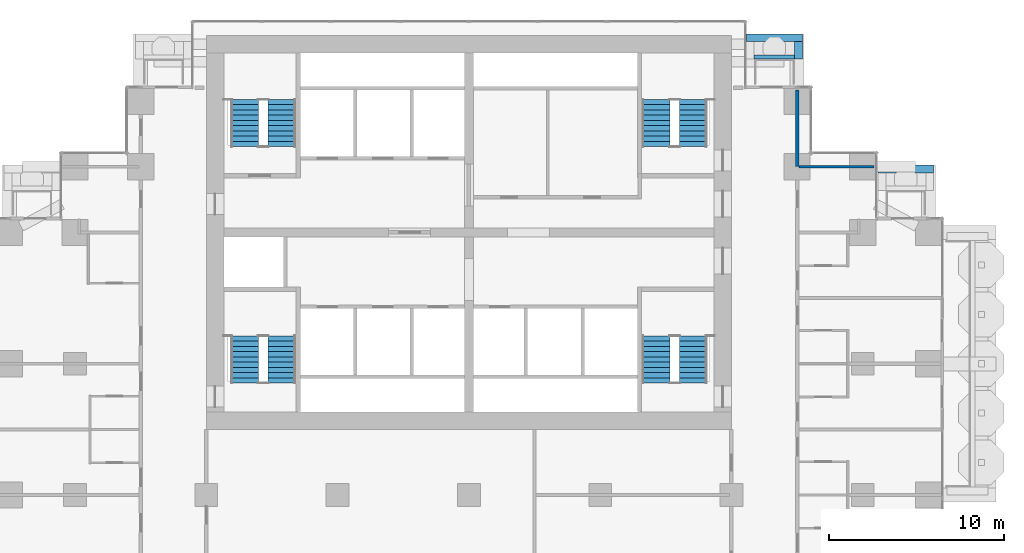
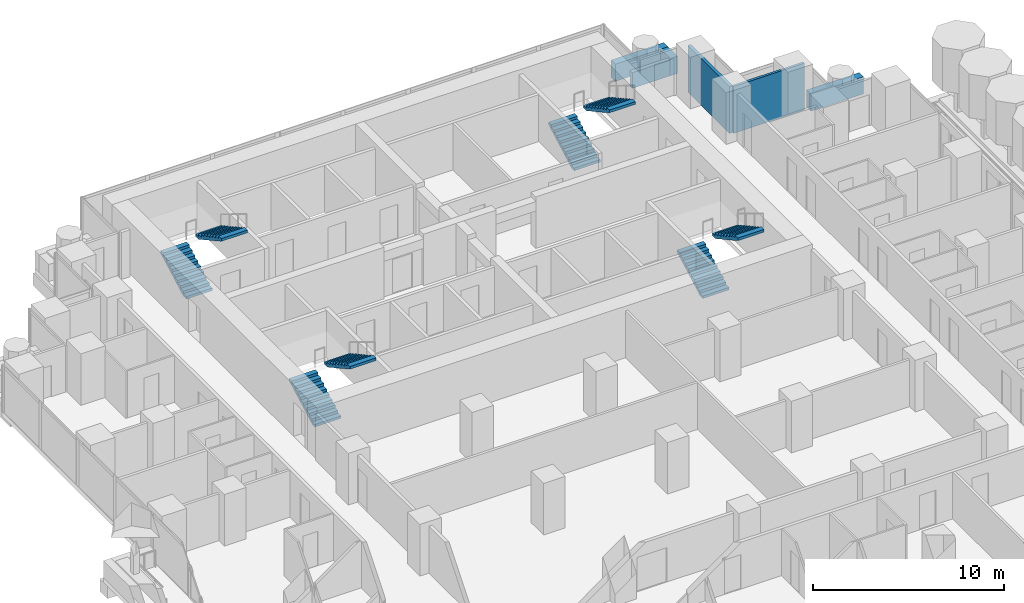
# One storey, part 16 of 19: 8 stair flights, 6 walls, 4 elements without a shape of their own.
"""IFC4 building model written with IfcOpenShell, lengths in metres."""

from ifc_helpers import new_model, si_unit, direction, frame, frame_2d, origin, place, context, subcontext, project, spatial, polyline, rectangle, outline, extrude, material, layer, layer_set, type_object, element, aggregate, save


model = new_model("IFC4")

# Units and contexts
model_context = context("Model", 3, precision=1e-05, world=origin(), true_north=direction((0.0, 1.0)))
body_context = subcontext(model_context, "Body", "Model", "MODEL_VIEW")
ifc_project = project(units=[si_unit("LENGTHUNIT", "METRE"), si_unit("AREAUNIT", "SQUARE_METRE"), si_unit("VOLUMEUNIT", "CUBIC_METRE"), si_unit("PLANEANGLEUNIT", "RADIAN"), si_unit("MASSUNIT", "GRAM", prefix="KILO")], contexts=[model_context])

# Site, building, storey
site_placement = place(None, origin())
site = spatial("IfcSite", under=ifc_project, at=site_placement, CompositionType="ELEMENT")
building_placement = place(site_placement, origin())
building = spatial("IfcBuilding", under=site, at=building_placement, Name="Pilkhan Gate Tower", CompositionType="ELEMENT")
storey_placement = place(building_placement, frame((0.0, 0.0, 59.300048828125)))
storey = spatial("IfcBuildingStorey", under=building, at=storey_placement, Name="L12", CompositionType="ELEMENT", Elevation=59.300048828125)

# Walls
ifc_material_1 = material(Name="Concrete C40/50", Category="concrete")
ifc_layer_1 = layer(ifc_material_1, 0.25)
ifc_layer_set_1 = layer_set([ifc_layer_1], Name="Balcony planter BP250")
wall_type_1 = type_object("IfcWallType", Name="Balcony planter BP250", PredefinedType="USERDEFINED", material=ifc_layer_set_1)
wall_1_placement = place(storey_placement, frame((91.300048828125, 92.52490234375, 0.0), z_axis=(0.0, 0.0, 1.0), x_axis=(1.0, 0.0, 0.0)))
element("IfcWall", 1, at=wall_1_placement, inside=storey, type_object=wall_type_1, Name="Balcony planter L12 N", ObjectType="BALCONY PLANTER", PredefinedType="USERDEFINED", context=body_context, shape_type="SweptSolid", body=[
    extrude(rectangle(XDim=2.300048828125, YDim=0.25, at=frame_2d((1.14990234375, 0.0))), origin(), (0.0, 0.0, 1.0), 1.0),
])
ifc_material_2 = material(Name="Board-marked Concrete C40/50", Category="concrete")
ifc_layer_2 = layer(ifc_material_2, 0.449951171875)
ifc_layer_set_2 = layer_set([ifc_layer_2], Name="Balcony planter lip BL450")
wall_type_2 = type_object("IfcWallType", Name="Balcony planter lip BL450", PredefinedType="USERDEFINED", material=ifc_layer_set_2)
wall_2_placement = place(storey_placement, frame((90.85009765625, 93.625, 0.0), z_axis=(0.0, 0.0, 1.0), x_axis=(1.0, 0.0, 0.0)))
element("IfcWall", 2, at=wall_2_placement, inside=storey, type_object=wall_type_2, Name="Balcony planter L12 N", ObjectType="BALCONY PLANTER", PredefinedType="USERDEFINED", context=body_context, shape_type="SweptSolid", body=[
    extrude(rectangle(XDim=3.199951171875, YDim=0.449951171875, at=frame_2d((1.60009765625, 0.0))), origin(), (0.0, 0.0, 1.0), 1.099853515625),
])
wall_3_placement = place(storey_placement, frame((93.824951171875, 92.39990234375, 0.0), z_axis=(0.0, 0.0, 1.0), x_axis=(0.0, 1.0, 0.0)))
element("IfcWall", 3, at=wall_3_placement, inside=storey, type_object=wall_type_2, Name="Balcony planter L12 N", ObjectType="BALCONY PLANTER", PredefinedType="USERDEFINED", context=body_context, shape_type="SweptSolid", body=[
    extrude(rectangle(XDim=1.0, YDim=0.449951171875, at=frame_2d((0.5, 0.0))), origin(), (0.0, 0.0, 1.0), 1.099853515625),
])
wall_4_placement = place(storey_placement, frame((98.3701171875, 86.125, 0.0), z_axis=(0.0, 0.0, 1.0), x_axis=(1.0, 0.0, 0.0)))
element("IfcWall", 4, at=wall_4_placement, inside=storey, type_object=wall_type_2, Name="Balcony planter L12 N", ObjectType="BALCONY PLANTER", PredefinedType="USERDEFINED", context=body_context, shape_type="SweptSolid", body=[
    extrude(rectangle(XDim=3.179931640625, YDim=0.449951171875, at=frame_2d((1.58984375, 0.0))), origin(), (0.0, 0.0, 1.0), 1.099853515625),
])
ifc_material_3 = material(Name="Dense blockwork", Category="masonry")
ifc_layer_3 = layer(ifc_material_3, 0.199951171875)
ifc_layer_set_3 = layer_set([ifc_layer_3], Name="Corridor wall FW200")
wall_type_3 = type_object("IfcWallType", Name="Corridor wall FW200", PredefinedType="PARTITIONING", material=ifc_layer_set_3)
wall_5_placement = place(storey_placement, frame((93.75, 86.280029296875, 0.0), z_axis=(0.0, 0.0, 1.0), x_axis=(0.0, 1.0, 0.0)))
element("IfcWall", 5, at=wall_5_placement, inside=storey, type_object=wall_type_3, Name="Partition L12", PredefinedType="PARTITIONING", context=body_context, shape_type="SweptSolid", body=[
    extrude(rectangle(XDim=4.364990234375, YDim=0.199951171875, at=frame_2d((2.1826171875, 0.0))), origin(), (0.0, 0.0, 1.0), 3.0),
])
ifc_material_4 = material(Name="Blockwork partition, plastered both sides", Category="masonry")
ifc_layer_4 = layer(ifc_material_4, 0.14990234375)
ifc_layer_set_4 = layer_set([ifc_layer_4], Name="Partition PW150")
wall_type_4 = type_object("IfcWallType", Name="Partition PW150", PredefinedType="PARTITIONING", material=ifc_layer_set_4)
wall_6_placement = place(storey_placement, frame((93.85009765625, 86.25, 0.0), z_axis=(0.0, 0.0, 1.0), x_axis=(1.0, 0.0, 0.0)))
element("IfcWall", 6, at=wall_6_placement, inside=storey, type_object=wall_type_4, Name="Partition L12", PredefinedType="PARTITIONING", context=body_context, shape_type="SweptSolid", body=[
    extrude(rectangle(XDim=4.294921875, YDim=0.14990234375, at=frame_2d((2.1474609375, 0.0))), origin(), (0.0, 0.0, 1.0), 3.0),
])

# Stair, stair flights
ifc_material_5 = material(Name="Concrete C40/50 precast", Category="concrete")
stair_type_1 = type_object("IfcStairType", Name="Stair ST1 165x300", PredefinedType="HALF_TURN_STAIR", material=ifc_material_5)
stair_1_placement = place(storey_placement, origin())
stair_1 = element("IfcStair", 7, at=stair_1_placement, inside=storey, type_object=stair_type_1, Name="Stair ST1 L12", PredefinedType="HALF_TURN_STAIR")
stair_flight_type_1 = type_object("IfcStairFlightType", Name="Stair flight ST1 165x300x10", PredefinedType="STRAIGHT", material=ifc_material_5)
stair_flight_1_placement = place(storey_placement, frame((85.68994140625, 73.89990234375, 0.0), z_axis=(0.0, 0.0, 1.0), x_axis=(0.0, 1.0, 0.0)))
stair_flight_1 = element("IfcStairFlight", 8, at=stair_flight_1_placement, type_object=stair_flight_type_1, Name="ST1 flight 1", NumberOfRisers=10, NumberOfTreads=9, PredefinedType="STRAIGHT", RiserHeight=0.165, TreadLength=0.3, context=body_context, shape_type="SweptSolid", body=[
    extrude(outline(polyline([(0.0, 0.0), (0.0, 0.1650390625), (0.300048828125, 0.1650390625), (0.300048828125, 0.330078125), (0.60009765625, 0.330078125), (0.60009765625, 0.4951171875), (0.89990234375, 0.4951171875), (0.89990234375, 0.659912109375), (1.199951171875, 0.659912109375), (1.199951171875, 0.824951171875), (1.5, 0.824951171875), (1.5, 0.989990234375), (1.800048828125, 0.989990234375), (1.800048828125, 1.155029296875), (2.10009765625, 1.155029296875), (2.10009765625, 1.320068359375), (2.39990234375, 1.320068359375), (2.39990234375, 1.485107421875), (2.699951171875, 1.485107421875), (2.699951171875, 1.64990234375), (2.699951171875, 1.31396484375), (0.31103515625, 0.0), (0.0, 0.0)])), frame((0.0, 0.7900390625, 0.0), z_axis=(0.0, -1.0, 0.0), x_axis=(1.0, 0.0, 0.0)), (0.0, 0.0, 1.0), 1.580078125),
])
stair_flight_2_placement = place(storey_placement, frame((87.81005859375, 76.60009765625, 1.64990234375), z_axis=(0.0, 0.0, 1.0), x_axis=(0.0, -1.0, 0.0)))
stair_flight_2 = element("IfcStairFlight", 9, at=stair_flight_2_placement, type_object=stair_flight_type_1, Name="ST1 flight 2", NumberOfRisers=10, NumberOfTreads=9, PredefinedType="STRAIGHT", RiserHeight=0.165, TreadLength=0.3, context=body_context, shape_type="SweptSolid", body=[
    extrude(outline(polyline([(0.0, 0.0), (0.0, 0.1650390625), (0.300048828125, 0.1650390625), (0.300048828125, 0.330078125), (0.60009765625, 0.330078125), (0.60009765625, 0.4951171875), (0.89990234375, 0.4951171875), (0.89990234375, 0.659912109375), (1.199951171875, 0.659912109375), (1.199951171875, 0.824951171875), (1.5, 0.824951171875), (1.5, 0.989990234375), (1.800048828125, 0.989990234375), (1.800048828125, 1.155029296875), (2.10009765625, 1.155029296875), (2.10009765625, 1.320068359375), (2.39990234375, 1.320068359375), (2.39990234375, 1.485107421875), (2.699951171875, 1.485107421875), (2.699951171875, 1.64990234375), (2.699951171875, 1.31396484375), (0.31103515625, 0.0), (0.0, 0.0)])), frame((0.0, 0.7900390625, 0.0), z_axis=(0.0, -1.0, 0.0), x_axis=(1.0, 0.0, 0.0)), (0.0, 0.0, 1.0), 1.580078125),
])
aggregate(stair_1, [stair_flight_1, stair_flight_2])

stair_type_2 = type_object("IfcStairType", Name="Stair ST2 165x300", PredefinedType="HALF_TURN_STAIR", material=ifc_material_5)
stair_2_placement = place(storey_placement, origin())
stair_2 = element("IfcStair", 10, at=stair_2_placement, inside=storey, type_object=stair_type_2, Name="Stair ST2 L12", PredefinedType="HALF_TURN_STAIR")
stair_flight_type_2 = type_object("IfcStairFlightType", Name="Stair flight ST2 165x300x10", PredefinedType="STRAIGHT", material=ifc_material_5)
stair_flight_3_placement = place(storey_placement, frame((62.18994140625, 73.89990234375, 0.0), z_axis=(0.0, 0.0, 1.0), x_axis=(0.0, 1.0, 0.0)))
stair_flight_3 = element("IfcStairFlight", 11, at=stair_flight_3_placement, type_object=stair_flight_type_2, Name="ST2 flight 1", NumberOfRisers=10, NumberOfTreads=9, PredefinedType="STRAIGHT", RiserHeight=0.165, TreadLength=0.3, context=body_context, shape_type="SweptSolid", body=[
    extrude(outline(polyline([(0.0, 0.0), (0.0, 0.1650390625), (0.300048828125, 0.1650390625), (0.300048828125, 0.330078125), (0.60009765625, 0.330078125), (0.60009765625, 0.4951171875), (0.89990234375, 0.4951171875), (0.89990234375, 0.659912109375), (1.199951171875, 0.659912109375), (1.199951171875, 0.824951171875), (1.5, 0.824951171875), (1.5, 0.989990234375), (1.800048828125, 0.989990234375), (1.800048828125, 1.155029296875), (2.10009765625, 1.155029296875), (2.10009765625, 1.320068359375), (2.39990234375, 1.320068359375), (2.39990234375, 1.485107421875), (2.699951171875, 1.485107421875), (2.699951171875, 1.64990234375), (2.699951171875, 1.31396484375), (0.31103515625, 0.0), (0.0, 0.0)])), frame((0.0, 0.7900390625, 0.0), z_axis=(0.0, -1.0, 0.0), x_axis=(1.0, 0.0, 0.0)), (0.0, 0.0, 1.0), 1.580078125),
])
stair_flight_4_placement = place(storey_placement, frame((64.31005859375, 76.60009765625, 1.64990234375), z_axis=(0.0, 0.0, 1.0), x_axis=(0.0, -1.0, 0.0)))
stair_flight_4 = element("IfcStairFlight", 12, at=stair_flight_4_placement, type_object=stair_flight_type_2, Name="ST2 flight 2", NumberOfRisers=10, NumberOfTreads=9, PredefinedType="STRAIGHT", RiserHeight=0.165, TreadLength=0.3, context=body_context, shape_type="SweptSolid", body=[
    extrude(outline(polyline([(0.0, 0.0), (0.0, 0.1650390625), (0.300048828125, 0.1650390625), (0.300048828125, 0.330078125), (0.60009765625, 0.330078125), (0.60009765625, 0.4951171875), (0.89990234375, 0.4951171875), (0.89990234375, 0.659912109375), (1.199951171875, 0.659912109375), (1.199951171875, 0.824951171875), (1.5, 0.824951171875), (1.5, 0.989990234375), (1.800048828125, 0.989990234375), (1.800048828125, 1.155029296875), (2.10009765625, 1.155029296875), (2.10009765625, 1.320068359375), (2.39990234375, 1.320068359375), (2.39990234375, 1.485107421875), (2.699951171875, 1.485107421875), (2.699951171875, 1.64990234375), (2.699951171875, 1.31396484375), (0.31103515625, 0.0), (0.0, 0.0)])), frame((0.0, 0.7900390625, 0.0), z_axis=(0.0, -1.0, 0.0), x_axis=(1.0, 0.0, 0.0)), (0.0, 0.0, 1.0), 1.580078125),
])
aggregate(stair_2, [stair_flight_3, stair_flight_4])

stair_type_3 = type_object("IfcStairType", Name="Stair ST3 165x300", PredefinedType="HALF_TURN_STAIR", material=ifc_material_5)
stair_3_placement = place(storey_placement, origin())
stair_3 = element("IfcStair", 13, at=stair_3_placement, inside=storey, type_object=stair_type_3, Name="Stair ST3 L12", PredefinedType="HALF_TURN_STAIR")
stair_flight_type_3 = type_object("IfcStairFlightType", Name="Stair flight ST3 165x300x10", PredefinedType="STRAIGHT", material=ifc_material_5)
stair_flight_5_placement = place(storey_placement, frame((62.18994140625, 87.39990234375, 0.0), z_axis=(0.0, 0.0, 1.0), x_axis=(0.0, 1.0, 0.0)))
stair_flight_5 = element("IfcStairFlight", 14, at=stair_flight_5_placement, type_object=stair_flight_type_3, Name="ST3 flight 1", NumberOfRisers=10, NumberOfTreads=9, PredefinedType="STRAIGHT", RiserHeight=0.165, TreadLength=0.3, context=body_context, shape_type="SweptSolid", body=[
    extrude(outline(polyline([(0.0, 0.0), (0.0, 0.1650390625), (0.300048828125, 0.1650390625), (0.300048828125, 0.330078125), (0.60009765625, 0.330078125), (0.60009765625, 0.4951171875), (0.89990234375, 0.4951171875), (0.89990234375, 0.659912109375), (1.199951171875, 0.659912109375), (1.199951171875, 0.824951171875), (1.5, 0.824951171875), (1.5, 0.989990234375), (1.800048828125, 0.989990234375), (1.800048828125, 1.155029296875), (2.10009765625, 1.155029296875), (2.10009765625, 1.320068359375), (2.39990234375, 1.320068359375), (2.39990234375, 1.485107421875), (2.699951171875, 1.485107421875), (2.699951171875, 1.64990234375), (2.699951171875, 1.31396484375), (0.31103515625, 0.0), (0.0, 0.0)])), frame((0.0, 0.7900390625, 0.0), z_axis=(0.0, -1.0, 0.0), x_axis=(1.0, 0.0, 0.0)), (0.0, 0.0, 1.0), 1.580078125),
])
stair_flight_6_placement = place(storey_placement, frame((64.31005859375, 90.10009765625, 1.64990234375), z_axis=(0.0, 0.0, 1.0), x_axis=(0.0, -1.0, 0.0)))
stair_flight_6 = element("IfcStairFlight", 15, at=stair_flight_6_placement, type_object=stair_flight_type_3, Name="ST3 flight 2", NumberOfRisers=10, NumberOfTreads=9, PredefinedType="STRAIGHT", RiserHeight=0.165, TreadLength=0.3, context=body_context, shape_type="SweptSolid", body=[
    extrude(outline(polyline([(0.0, 0.0), (0.0, 0.1650390625), (0.300048828125, 0.1650390625), (0.300048828125, 0.330078125), (0.60009765625, 0.330078125), (0.60009765625, 0.4951171875), (0.89990234375, 0.4951171875), (0.89990234375, 0.659912109375), (1.199951171875, 0.659912109375), (1.199951171875, 0.824951171875), (1.5, 0.824951171875), (1.5, 0.989990234375), (1.800048828125, 0.989990234375), (1.800048828125, 1.155029296875), (2.10009765625, 1.155029296875), (2.10009765625, 1.320068359375), (2.39990234375, 1.320068359375), (2.39990234375, 1.485107421875), (2.699951171875, 1.485107421875), (2.699951171875, 1.64990234375), (2.699951171875, 1.31396484375), (0.31103515625, 0.0), (0.0, 0.0)])), frame((0.0, 0.7900390625, 0.0), z_axis=(0.0, -1.0, 0.0), x_axis=(1.0, 0.0, 0.0)), (0.0, 0.0, 1.0), 1.580078125),
])
aggregate(stair_3, [stair_flight_5, stair_flight_6])

stair_type_4 = type_object("IfcStairType", Name="Stair ST4 165x300", PredefinedType="HALF_TURN_STAIR", material=ifc_material_5)
stair_4_placement = place(storey_placement, origin())
stair_4 = element("IfcStair", 16, at=stair_4_placement, inside=storey, type_object=stair_type_4, Name="Stair ST4 L12", PredefinedType="HALF_TURN_STAIR")
stair_flight_type_4 = type_object("IfcStairFlightType", Name="Stair flight ST4 165x300x10", PredefinedType="STRAIGHT", material=ifc_material_5)
stair_flight_7_placement = place(storey_placement, frame((85.68994140625, 87.39990234375, 0.0), z_axis=(0.0, 0.0, 1.0), x_axis=(0.0, 1.0, 0.0)))
stair_flight_7 = element("IfcStairFlight", 17, at=stair_flight_7_placement, type_object=stair_flight_type_4, Name="ST4 flight 1", NumberOfRisers=10, NumberOfTreads=9, PredefinedType="STRAIGHT", RiserHeight=0.165, TreadLength=0.3, context=body_context, shape_type="SweptSolid", body=[
    extrude(outline(polyline([(0.0, 0.0), (0.0, 0.1650390625), (0.300048828125, 0.1650390625), (0.300048828125, 0.330078125), (0.60009765625, 0.330078125), (0.60009765625, 0.4951171875), (0.89990234375, 0.4951171875), (0.89990234375, 0.659912109375), (1.199951171875, 0.659912109375), (1.199951171875, 0.824951171875), (1.5, 0.824951171875), (1.5, 0.989990234375), (1.800048828125, 0.989990234375), (1.800048828125, 1.155029296875), (2.10009765625, 1.155029296875), (2.10009765625, 1.320068359375), (2.39990234375, 1.320068359375), (2.39990234375, 1.485107421875), (2.699951171875, 1.485107421875), (2.699951171875, 1.64990234375), (2.699951171875, 1.31396484375), (0.31103515625, 0.0), (0.0, 0.0)])), frame((0.0, 0.7900390625, 0.0), z_axis=(0.0, -1.0, 0.0), x_axis=(1.0, 0.0, 0.0)), (0.0, 0.0, 1.0), 1.580078125),
])
stair_flight_8_placement = place(storey_placement, frame((87.81005859375, 90.10009765625, 1.64990234375), z_axis=(0.0, 0.0, 1.0), x_axis=(0.0, -1.0, 0.0)))
stair_flight_8 = element("IfcStairFlight", 18, at=stair_flight_8_placement, type_object=stair_flight_type_4, Name="ST4 flight 2", NumberOfRisers=10, NumberOfTreads=9, PredefinedType="STRAIGHT", RiserHeight=0.165, TreadLength=0.3, context=body_context, shape_type="SweptSolid", body=[
    extrude(outline(polyline([(0.0, 0.0), (0.0, 0.1650390625), (0.300048828125, 0.1650390625), (0.300048828125, 0.330078125), (0.60009765625, 0.330078125), (0.60009765625, 0.4951171875), (0.89990234375, 0.4951171875), (0.89990234375, 0.659912109375), (1.199951171875, 0.659912109375), (1.199951171875, 0.824951171875), (1.5, 0.824951171875), (1.5, 0.989990234375), (1.800048828125, 0.989990234375), (1.800048828125, 1.155029296875), (2.10009765625, 1.155029296875), (2.10009765625, 1.320068359375), (2.39990234375, 1.320068359375), (2.39990234375, 1.485107421875), (2.699951171875, 1.485107421875), (2.699951171875, 1.64990234375), (2.699951171875, 1.31396484375), (0.31103515625, 0.0), (0.0, 0.0)])), frame((0.0, 0.7900390625, 0.0), z_axis=(0.0, -1.0, 0.0), x_axis=(1.0, 0.0, 0.0)), (0.0, 0.0, 1.0), 1.580078125),
])
aggregate(stair_4, [stair_flight_7, stair_flight_8])

save(model, "model.ifc")
